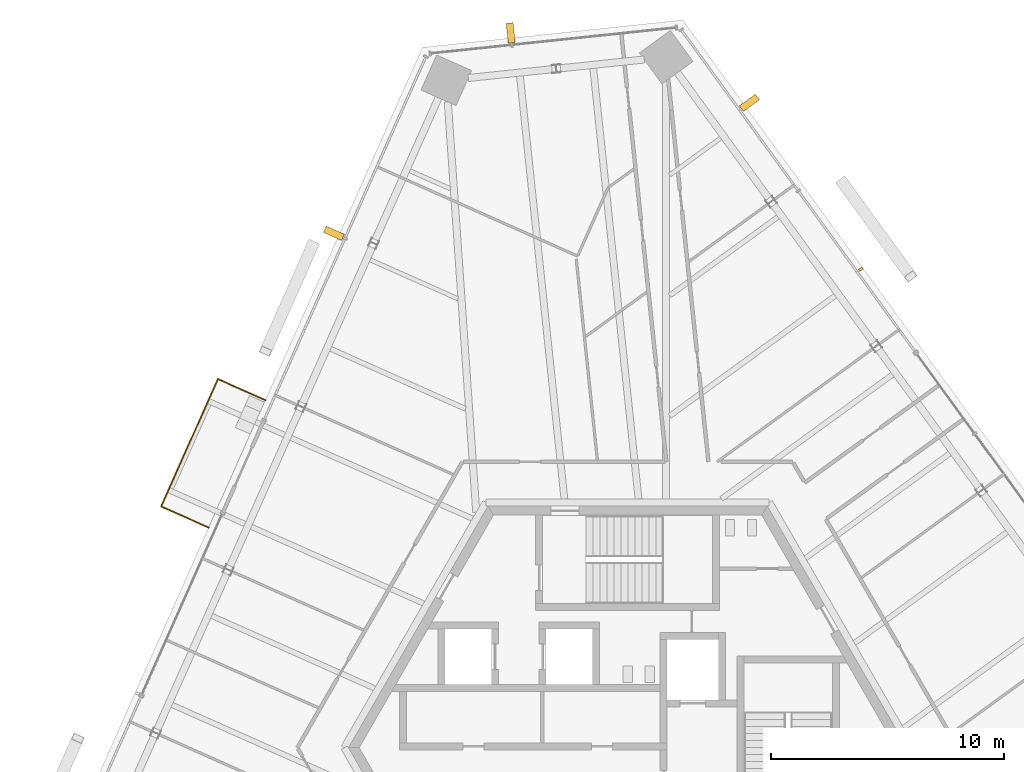
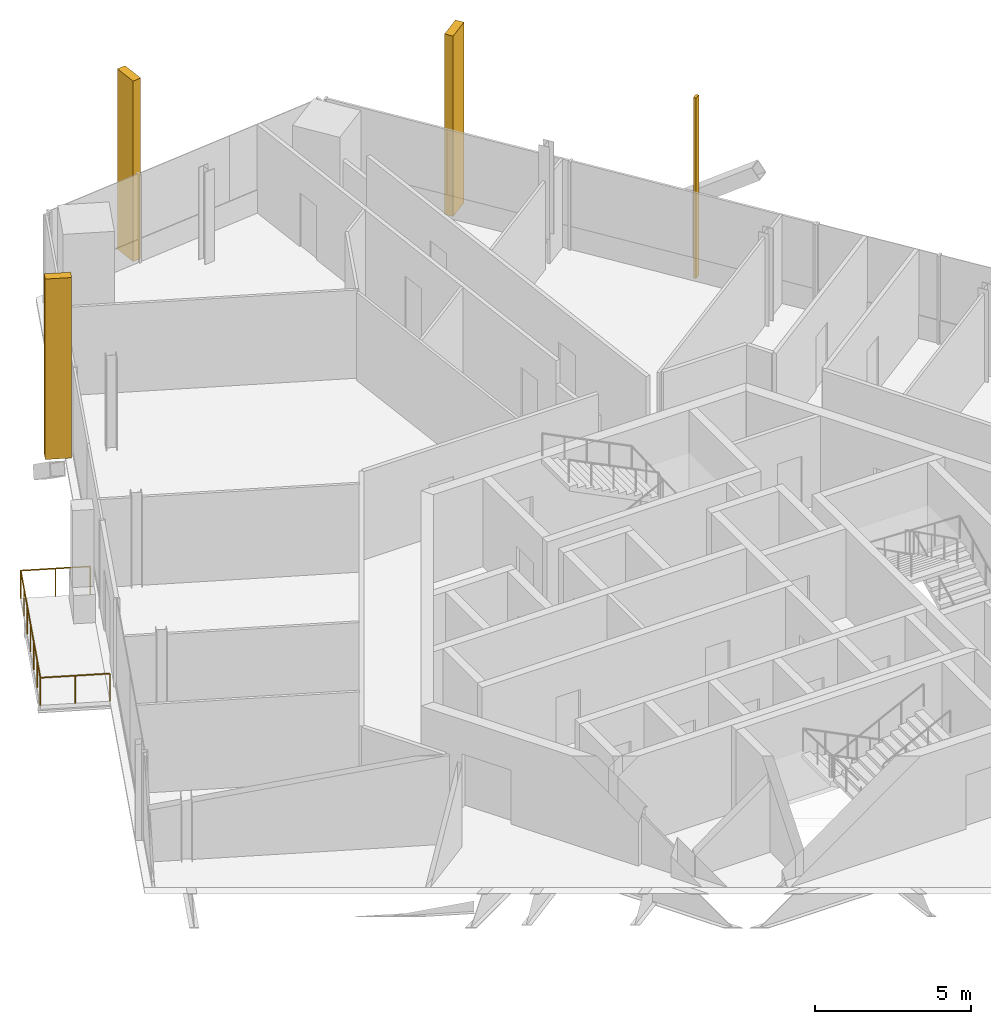
# One storey, part 17 of 20: 4 shading devices, 1 railing.
"""IFC4 building model written with IfcOpenShell, lengths in metres."""

from ifc_helpers import new_model, si_unit, direction, frame, origin, origin_2d, place, context, subcontext, project, spatial, rectangle, circle, extrude, source, transform, mapped, material, type_object, element, save


model = new_model("IFC4")

# Units and contexts
model_context = context("Model", 3, precision=1e-05, world=origin(), true_north=direction((0.0, 1.0)))
body_context = subcontext(model_context, "Body", "Model", "MODEL_VIEW")
ifc_project = project(units=[si_unit("LENGTHUNIT", "METRE"), si_unit("AREAUNIT", "SQUARE_METRE"), si_unit("VOLUMEUNIT", "CUBIC_METRE"), si_unit("PLANEANGLEUNIT", "RADIAN"), si_unit("MASSUNIT", "GRAM", prefix="KILO")], contexts=[model_context])

# Site, building, storey
site_placement = place(None, origin())
site = spatial("IfcSite", under=ifc_project, at=site_placement, CompositionType="ELEMENT")
building_placement = place(site_placement, origin())
building = spatial("IfcBuilding", under=site, at=building_placement, Name="Triune Harvest Tower", CompositionType="ELEMENT")
storey_placement = place(building_placement, frame((0.0, 0.0, 226.89990234375)))
storey = spatial("IfcBuildingStorey", under=building, at=storey_placement, Name="L59", CompositionType="ELEMENT", Elevation=226.89990234375)

# Railing
ifc_material_1 = material(Name="Glass", Category="glass")
railing_type = type_object("IfcRailingType", Name="GD-2 balcony guard 1100", PredefinedType="GUARDRAIL", material=ifc_material_1)
railing_placement = place(storey_placement, frame((-15.572265625, 14.94189453125, 0.0)))
element("IfcRailing", 1, at=railing_placement, inside=storey, type_object=railing_type, Name="Balcony guard B6-F3 L59.5", PredefinedType="GUARDRAIL", context=body_context, shape_type="SweptSolid", body=[
    extrude(circle(Radius=0.02392578125, at=origin_2d()), frame((0.0, 0.0, 1.076171875), z_axis=(-0.913527473281, 0.40677703421, 0.0), x_axis=(-0.40677703421, -0.913527473281, 0.0)), (0.0, 0.0, 1.0), 2.234375),
    extrude(circle(Radius=0.02392578125, at=origin_2d()), frame((-2.041259765625, 0.908935546875, 1.076171875), z_axis=(-0.406776400638, -0.913527755399, 0.0), x_axis=(0.913527755399, -0.406776400638, 0.0)), (0.0, 0.0, 1.0), 6.0),
    extrude(circle(Radius=0.02392578125, at=origin_2d()), frame((-4.48193359375, -4.572265625, 1.076171875), z_axis=(0.913545549651, -0.406736436421, 0.0), x_axis=(0.406736436421, 0.913545549651, 0.0)), (0.0, 0.0, 1.0), 2.234619140625),
    extrude(circle(Radius=0.02099609375, at=origin_2d()), origin(), (0.0, 0.0, 1.0), 1.052001953125),
    extrude(circle(Radius=0.02099609375, at=origin_2d()), frame((-1.0205078125, 0.45458984375, 0.0)), (0.0, 0.0, 1.0), 1.052001953125),
    extrude(circle(Radius=0.02099609375, at=origin_2d()), frame((-2.041259765625, 0.908935546875, 0.0)), (0.0, 0.0, 1.0), 1.052001953125),
    extrude(circle(Radius=0.02099609375, at=origin_2d()), frame((-2.447998046875, -0.004638671875, 0.0)), (0.0, 0.0, 1.0), 1.052001953125),
    extrude(circle(Radius=0.02099609375, at=origin_2d()), frame((-2.854736328125, -0.918212890625, 0.0)), (0.0, 0.0, 1.0), 1.052001953125),
    extrude(circle(Radius=0.02099609375, at=origin_2d()), frame((-3.26171875, -1.83154296875, 0.0)), (0.0, 0.0, 1.0), 1.052001953125),
    extrude(circle(Radius=0.02099609375, at=origin_2d()), frame((-3.66845703125, -2.7451171875, 0.0)), (0.0, 0.0, 1.0), 1.052001953125),
    extrude(circle(Radius=0.02099609375, at=origin_2d()), frame((-4.0751953125, -3.65869140625, 0.0)), (0.0, 0.0, 1.0), 1.052001953125),
    extrude(circle(Radius=0.02099609375, at=origin_2d()), frame((-4.48193359375, -4.572265625, 0.0)), (0.0, 0.0, 1.0), 1.052001953125),
    extrude(circle(Radius=0.02099609375, at=origin_2d()), frame((-3.461181640625, -5.02685546875, 0.0)), (0.0, 0.0, 1.0), 1.052001953125),
    extrude(circle(Radius=0.02099609375, at=origin_2d()), frame((-2.4404296875, -5.481201171875, 0.0)), (0.0, 0.0, 1.0), 1.052001953125),
])

# Shading devices
ifc_material_2 = material(Name="Aluminium bronze anodised", Category="aluminium")
shared_shape_1 = source(origin(), body_context, "Body", "SweptSolid", [
    extrude(rectangle(XDim=0.10009765625, YDim=0.199951171875, at=origin_2d()), origin(), (0.0, 0.0, 1.0), 7.0400390625),
])
shading_device_placement = place(storey_placement, frame((10.0263671875, 20.572265625, 0.0), z_axis=(0.0, 0.0, 1.0), x_axis=(-0.587785672066, 0.809016689391, 0.0)))
element("IfcShadingDevice", 2, at=shading_device_placement, inside=storey, material=ifc_material_2, Name="FN-1 fin B6-F1.9 L59", ObjectType="FIN", PredefinedType="USERDEFINED", context=body_context, shape_type="MappedRepresentation", body=[
    mapped(shared_shape_1, transform((0.0, 0.0, 0.0), scale=1.0)),
])
shared_shape_2 = source(origin(), body_context, "Body", "SweptSolid", [
    extrude(rectangle(XDim=0.300048828125, YDim=0.85009765625, at=origin_2d()), origin(), (0.0, 0.0, 1.0), 7.0400390625),
])
for number, where, z_axis, x_axis, name in (
    (3, (5.234130859375, 27.720947265625, 0.0), (0.0, 0.0, 1.0), (-0.587785672066, 0.809016689391, 0.0), "FN-2 fin B6-F1.11 L59"),
    (4, (-5.02734375, 30.72900390625, 0.0), (0.0, 0.0, 1.0), (-0.994521768229, -0.104529672907, 0.0), "FN-2 fin B6-F2.3 L59"),
    (5, (-12.627197265625, 22.10986328125, 0.0), (0.0, 0.0, 1.0), (-0.406737912248, -0.91354489257, 0.0), "FN-2 fin B6-F3.3 L59"),
):
    element("IfcShadingDevice", number, at=place(storey_placement, frame(where, z_axis=z_axis, x_axis=x_axis)), inside=storey, material=ifc_material_2, Name=name, ObjectType="FIN", PredefinedType="USERDEFINED", context=body_context, shape_type="MappedRepresentation", body=[
        mapped(shared_shape_2, transform((0.0, 0.0, 0.0), scale=1.0)),
    ])

save(model, "model.ifc")
